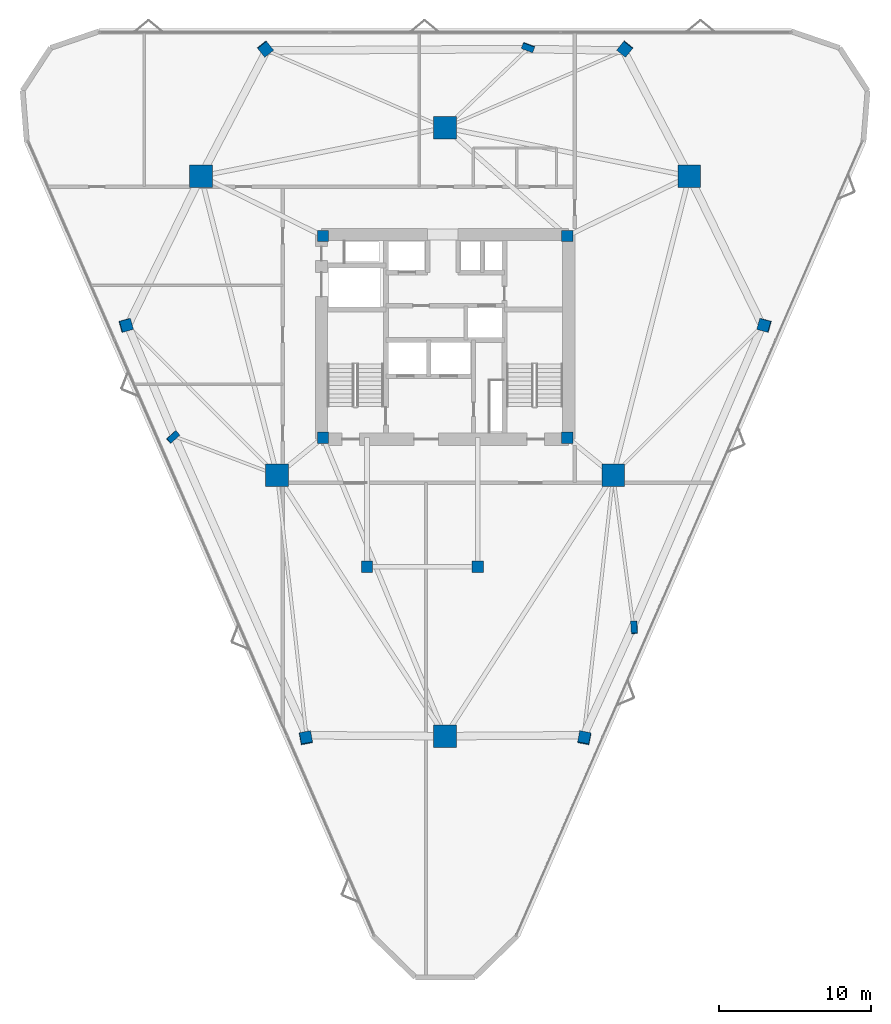
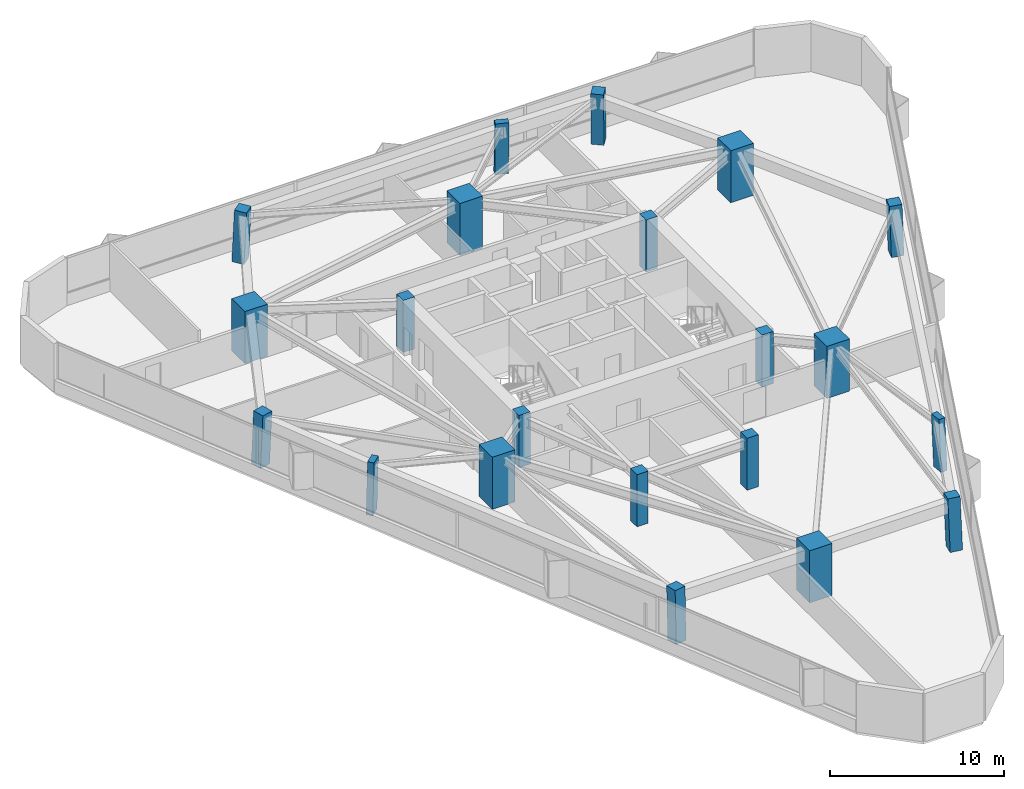
# One storey, part 1 of 11: 21 columns.
"""IFC4 building model written with IfcOpenShell, lengths in metres."""

from ifc_helpers import new_model, si_unit, direction, frame, origin, origin_2d, place, context, subcontext, project, spatial, rectangle, extrude, material, material_profile, profile_set, type_object, element, save


model = new_model("IFC4")

# Units and contexts
model_context = context("Model", 3, precision=1e-05, world=origin(), true_north=direction((0.0, 1.0)))
body_context = subcontext(model_context, "Body", "Model", "MODEL_VIEW")
ifc_project = project(units=[si_unit("LENGTHUNIT", "METRE"), si_unit("AREAUNIT", "SQUARE_METRE"), si_unit("VOLUMEUNIT", "CUBIC_METRE"), si_unit("PLANEANGLEUNIT", "RADIAN"), si_unit("MASSUNIT", "GRAM", prefix="KILO")], contexts=[model_context])

# Site, building, storey
site_placement = place(None, origin())
site = spatial("IfcSite", under=ifc_project, at=site_placement, CompositionType="ELEMENT")
building_placement = place(site_placement, origin())
building = spatial("IfcBuilding", under=site, at=building_placement, Name="Talyreon Biosciences Tower", CompositionType="ELEMENT")
storey_placement = place(building_placement, frame((0.0, 0.0, 160.050048828125)))
storey = spatial("IfcBuildingStorey", under=building, at=storey_placement, Name="L42", CompositionType="ELEMENT", Elevation=160.050048828125)

# Columns
ifc_material_1 = material(Name="Precast concrete C45/55", Category="concrete")
ifc_material_profile_1 = material_profile(ifc_material_1, rectangle(XDim=0.800048828125, YDim=0.39990234375, at=origin_2d()), Name="RC 800x400")
ifc_profile_set_1 = profile_set([ifc_material_profile_1], Name="Precast concrete C45/55")
column_type_1 = type_object("IfcColumnType", Name="FacadePilaster_800x400", PredefinedType="PILASTER", material=ifc_profile_set_1)
column_1_placement = place(storey_placement, frame((78.478759765625, 48.81884765625, 0.0029296875), z_axis=(-0.019612004119, 0.038286915892, 0.999074312234), x_axis=(0.061989734834, -0.997297397549, 0.039435689649)))
element("IfcColumn", 1, at=column_1_placement, inside=storey, type_object=column_type_1, Name="L42 Facade Pilaster PL-SE", PredefinedType="PILASTER", context=body_context, shape_type="SweptSolid", body=[
    extrude(rectangle(XDim=0.800048828125, YDim=0.39990234375, at=origin_2d()), origin(), (0.0, 0.0, 1.0), 3.6474609375),
])
column_2_placement = place(storey_placement, frame((71.478515625, 87.1025390625, 0.0029296875), z_axis=(-0.012453496874, -0.033544096418, 0.99935964698), x_axis=(-0.937477612418, 0.348045580658, 0.0)))
element("IfcColumn", 2, at=column_2_placement, inside=storey, type_object=column_type_1, Name="L42 Facade Pilaster PL-N", PredefinedType="PILASTER", context=body_context, shape_type="SweptSolid", body=[
    extrude(rectangle(XDim=0.800048828125, YDim=0.39990234375, at=origin_2d()), origin(), (0.0, 0.0, 1.0), 3.646484375),
])
column_3_placement = place(storey_placement, frame((48.04296875, 61.39013671875, 0.0029296875), z_axis=(0.031939586172, 0.010512610124, 0.999434514045), x_axis=(0.745385179612, 0.66592096778, -0.030825292953)))
element("IfcColumn", 3, at=column_3_placement, inside=storey, type_object=column_type_1, Name="L42 Facade Pilaster PL-SW", PredefinedType="PILASTER", context=body_context, shape_type="SweptSolid", body=[
    extrude(rectangle(XDim=0.800048828125, YDim=0.39990234375, at=origin_2d()), origin(), (0.0, 0.0, 1.0), 3.64599609375),
])
ifc_material_2 = material(Name="Concrete C60/75", Category="concrete")
ifc_material_profile_2 = material_profile(ifc_material_2, rectangle(XDim=1.5, YDim=1.5, at=origin_2d()), Name="RC 1500x1500")
ifc_profile_set_2 = profile_set([ifc_material_profile_2], Name="Concrete C60/75")
column_type_2 = type_object("IfcColumnType", Name="MegaColumn_1500", PredefinedType="COLUMN", material=ifc_profile_set_2)
for number, where, z_axis, x_axis, name in (
    (4, (66.0, 41.6669921875, 0.0), (0.0, 0.0, 1.0), (1.0, 0.0, 0.0), "L42 Composite Mega-Column MC1"),
    (5, (82.102294921875, 78.5986328125, 0.0), (0.0, 0.0, 1.0), (1.0, 0.0, 0.0), "L42 Composite Mega-Column MC2"),
    (6, (49.897705078125, 78.5986328125, 0.0), (0.0, 0.0, 1.0), (1.0, 0.0, 0.0), "L42 Composite Mega-Column MC3"),
    (7, (77.086181640625, 58.88037109375, 0.0), (0.0, 0.0, 1.0), (1.0, 0.0, 0.0), "L42 Composite Mega-Column MC4"),
    (8, (66.0, 81.788818359375, 0.0), (0.0, 0.0, 1.0), (1.0, 0.0, 0.0), "L42 Composite Mega-Column MC5"),
    (9, (54.913818359375, 58.88037109375, 0.0), (0.0, 0.0, 1.0), (1.0, 0.0, 0.0), "L42 Composite Mega-Column MC6"),
):
    element("IfcColumn", number, at=place(storey_placement, frame(where, z_axis=z_axis, x_axis=x_axis)), inside=storey, type_object=column_type_2, Name=name, PredefinedType="COLUMN", context=body_context, shape_type="SweptSolid", body=[
        extrude(rectangle(XDim=1.5, YDim=1.5, at=origin_2d()), origin(), (0.0, 0.0, 1.0), 3.64990234375),
    ])
ifc_material_3 = material(Name="Concrete C50/60", Category="concrete")
ifc_material_profile_3 = material_profile(ifc_material_3, rectangle(XDim=0.75, YDim=0.75, at=origin_2d()), Name="RC 750x750")
ifc_profile_set_3 = profile_set([ifc_material_profile_3], Name="Concrete C50/60")
column_type_3 = type_object("IfcColumnType", Name="PerimeterColumn_750", PredefinedType="COLUMN", material=ifc_profile_set_3)
for number, where, z_axis, x_axis, name in (
    (10, (57.949951171875, 61.35009765625, 0.0), (0.0, 0.0, 1.0), (1.0, 0.0, 0.0), "L42 Core Column CC1"),
    (11, (74.050048828125, 61.35009765625, 0.0), (0.0, 0.0, 1.0), (1.0, 0.0, 0.0), "L42 Core Column CC2"),
    (12, (74.050048828125, 74.64990234375, 0.0), (0.0, 0.0, 1.0), (1.0, 0.0, 0.0), "L42 Core Column CC3"),
    (13, (57.949951171875, 74.64990234375, 0.0), (0.0, 0.0, 1.0), (1.0, 0.0, 0.0), "L42 Core Column CC4"),
    (14, (60.85009765625, 52.840087890625, 0.0), (0.0, 0.0, 1.0), (1.0, 0.0, 0.0), "L42 Core Column CSW"),
    (15, (68.14990234375, 52.840087890625, 0.0), (0.0, 0.0, 1.0), (1.0, 0.0, 0.0), "L42 Core Column CSE"),
):
    element("IfcColumn", number, at=place(storey_placement, frame(where, z_axis=z_axis, x_axis=x_axis)), inside=storey, type_object=column_type_3, Name=name, PredefinedType="COLUMN", context=body_context, shape_type="SweptSolid", body=[
        extrude(rectangle(XDim=0.75, YDim=0.75, at=origin_2d()), origin(), (0.0, 0.0, 1.0), 3.64990234375),
    ])
column_4_placement = place(storey_placement, frame((75.191162109375, 41.525634765625, 0.0029296875), z_axis=(-0.01230825877, 0.054450666514, 0.998440599977), x_axis=(-0.18786249922, -0.980861197738, 0.051176089716)))
element("IfcColumn", 16, at=column_4_placement, inside=storey, type_object=column_type_3, Name="L42 Tapering Perimeter Column PC-SE1", PredefinedType="COLUMN", context=body_context, shape_type="SweptSolid", body=[
    extrude(rectangle(XDim=0.75, YDim=0.75, at=origin_2d()), origin(), (0.0, 0.0, 1.0), 3.649658203125),
])
column_5_placement = place(storey_placement, frame((87.061279296875, 68.76318359375, 0.0029296875), z_axis=(-0.039229508262, -0.005623342481, 0.999214403269), x_axis=(0.963431053384, -0.265482004956, 0.03633057141)))
element("IfcColumn", 17, at=column_5_placement, inside=storey, type_object=column_type_3, Name="L42 Tapering Perimeter Column PC-SE2", PredefinedType="COLUMN", context=body_context, shape_type="SweptSolid", body=[
    extrude(rectangle(XDim=0.75, YDim=0.75, at=origin_2d()), origin(), (0.0, 0.0, 1.0), 3.64697265625),
])
for number, where, z_axis, x_axis, name in (
    (18, (77.8701171875, 87.00244140625, 0.0029296875), (-0.02690802353, -0.033467690958, 0.999077510472), (-0.779345821086, 0.626594040153, 0.0), "L42 Tapering Perimeter Column PC-N1"),
    (19, (54.1298828125, 87.00244140625, 0.0029296875), (0.02690802353, -0.033467690958, 0.999077510472), (-0.779345821086, -0.626594040153, 0.0), "L42 Tapering Perimeter Column PC-N2"),
):
    element("IfcColumn", number, at=place(storey_placement, frame(where, z_axis=z_axis, x_axis=x_axis)), inside=storey, type_object=column_type_3, Name=name, PredefinedType="COLUMN", context=body_context, shape_type="SweptSolid", body=[
        extrude(rectangle(XDim=0.75, YDim=0.75, at=origin_2d()), origin(), (0.0, 0.0, 1.0), 3.6474609375),
    ])
column_6_placement = place(storey_placement, frame((44.938720703125, 68.76318359375, 0.0029296875), z_axis=(0.039229508262, -0.005623342481, 0.999214403269), x_axis=(0.963431053384, 0.265482004956, -0.03633057141)))
element("IfcColumn", 20, at=column_6_placement, inside=storey, type_object=column_type_3, Name="L42 Tapering Perimeter Column PC-SW1", PredefinedType="COLUMN", context=body_context, shape_type="SweptSolid", body=[
    extrude(rectangle(XDim=0.75, YDim=0.75, at=origin_2d()), origin(), (0.0, 0.0, 1.0), 3.64697265625),
])
column_7_placement = place(storey_placement, frame((56.808837890625, 41.525634765625, 0.0029296875), z_axis=(0.01230825877, 0.054450666514, 0.998440599977), x_axis=(-0.18786249922, 0.980861197738, -0.051176089716)))
element("IfcColumn", 21, at=column_7_placement, inside=storey, type_object=column_type_3, Name="L42 Tapering Perimeter Column PC-SW2", PredefinedType="COLUMN", context=body_context, shape_type="SweptSolid", body=[
    extrude(rectangle(XDim=0.75, YDim=0.75, at=origin_2d()), origin(), (0.0, 0.0, 1.0), 3.649658203125),
])

save(model, "model.ifc")
